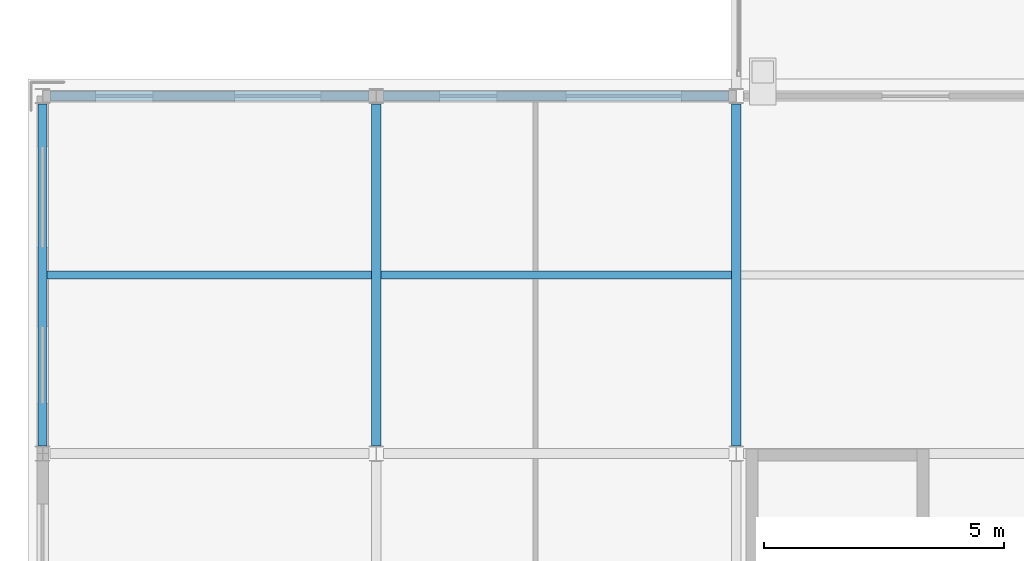
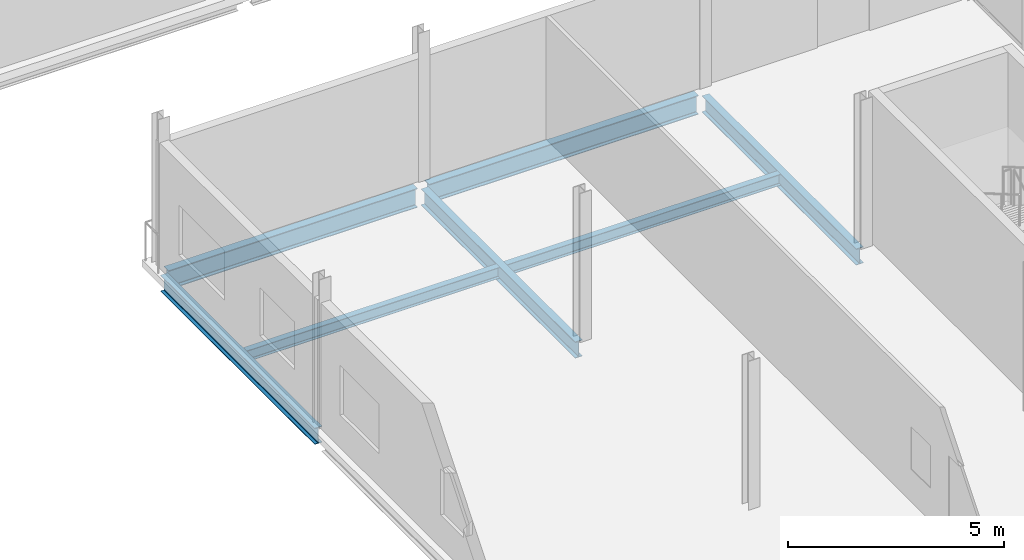
# One storey, part 14 of 60: 7 beams.
"""IFC4 building model written with IfcOpenShell, lengths in metres."""

from ifc_helpers import new_model, si_unit, direction, frame, origin, origin_2d, place, context, subcontext, project, spatial, i_section, extrude, material, material_profile, profile_set, type_object, element, save


model = new_model("IFC4")

# Units and contexts
model_context = context("Model", 3, precision=1e-05, world=origin(), true_north=direction((0.0, 1.0)))
body_context = subcontext(model_context, "Body", "Model", "MODEL_VIEW")
ifc_project = project(units=[si_unit("LENGTHUNIT", "METRE"), si_unit("AREAUNIT", "SQUARE_METRE"), si_unit("VOLUMEUNIT", "CUBIC_METRE"), si_unit("PLANEANGLEUNIT", "RADIAN"), si_unit("MASSUNIT", "GRAM", prefix="KILO")], contexts=[model_context])

# Site, building, storey
site_placement = place(None, origin())
site = spatial("IfcSite", under=ifc_project, at=site_placement, CompositionType="ELEMENT")
building_placement = place(site_placement, origin())
building = spatial("IfcBuilding", under=site, at=building_placement, Name="Quillay Park Conservatory", CompositionType="ELEMENT")
storey_placement = place(building_placement, frame((0.0, 0.0, 9.89990234375)))
storey = spatial("IfcBuildingStorey", under=building, at=storey_placement, Name="L02", CompositionType="ELEMENT", Elevation=9.89990234375)

# Beams
ifc_material_1 = material(Name="Steel ASTM A992 Grade 50", Category="steel")
ifc_material_profile_1 = material_profile(ifc_material_1, i_section(OverallWidth=0.166015625, OverallDepth=0.31298828125, WebThickness=0.006591796875, FlangeThickness=0.01123046875, FilletRadius=0.010009765625, at=origin_2d()), Name="W310x45")
ifc_profile_set_1 = profile_set([ifc_material_profile_1], Name="Steel ASTM A992 Grade 50")
beam_type_1 = type_object("IfcBeamType", Name="COMPOSITE FLOOR JOIST W310 X45", PredefinedType="JOIST", material=ifc_profile_set_1)
beam_1_placement = place(storey_placement, frame((0.64599609375, 50.52490234375, -0.351318359375), z_axis=(1.0, 0.0, 0.0), x_axis=(0.0, 1.0, 0.0)))
element("IfcBeam", 1, at=beam_1_placement, inside=storey, type_object=beam_type_1, Name="L02 beam BM-V3J-1395", PredefinedType="JOIST", context=body_context, shape_type="SweptSolid", body=[
    extrude(i_section(OverallWidth=0.166015625, OverallDepth=0.31298828125, WebThickness=0.006591796875, FlangeThickness=0.01123046875, FilletRadius=0.010009765625, at=origin_2d()), origin(), (0.0, 0.0, 1.0), 6.758056640625),
])
beam_2_placement = place(storey_placement, frame((7.595947265625, 50.52490234375, -0.351318359375), z_axis=(1.0, 0.0, 0.0), x_axis=(0.0, 1.0, 0.0)))
element("IfcBeam", 2, at=beam_2_placement, inside=storey, type_object=beam_type_1, Name="L02 beam BM-V3J-1396", PredefinedType="JOIST", context=body_context, shape_type="SweptSolid", body=[
    extrude(i_section(OverallWidth=0.166015625, OverallDepth=0.31298828125, WebThickness=0.006591796875, FlangeThickness=0.01123046875, FilletRadius=0.010009765625, at=origin_2d()), origin(), (0.0, 0.0, 1.0), 7.30810546875),
])
ifc_material_2 = material(Name="Steel ASTM A992 Grade 50", Category="steel")
ifc_material_profile_2 = material_profile(ifc_material_2, i_section(OverallWidth=0.19189453125, OverallDepth=0.462890625, WebThickness=0.010498046875, FlangeThickness=0.017578125, FilletRadius=0.012939453125, at=origin_2d()), Name="W460x89")
ifc_profile_set_2 = profile_set([ifc_material_profile_2], Name="Steel ASTM A992 Grade 50")
beam_type_2 = type_object("IfcBeamType", Name="PRIMARY FLOOR GIRDER W460 X89", PredefinedType="BEAM", material=ifc_profile_set_2)
for number, where, z_axis, x_axis, name in (
    (3, (0.550048828125, 46.96142578125, -0.426513671875), (0.0, 1.0, 0.0), (-1.0, 0.0, 0.0), "L02 beam BM-V3Y-1356"),
    (4, (7.5, 46.96142578125, -0.426513671875), (0.0, 1.0, 0.0), (-1.0, 0.0, 0.0), "L02 beam BM-V3Y-1363"),
    (5, (15.0, 46.96142578125, -0.426513671875), (0.0, 1.0, 0.0), (-1.0, 0.0, 0.0), "L02 beam BM-V3Y-1370"),
):
    element("IfcBeam", number, at=place(storey_placement, frame(where, z_axis=z_axis, x_axis=x_axis)), inside=storey, type_object=beam_type_2, Name=name, PredefinedType="BEAM", context=body_context, shape_type="SweptSolid", body=[
        extrude(i_section(OverallWidth=0.19189453125, OverallDepth=0.462890625, WebThickness=0.010498046875, FlangeThickness=0.017578125, FilletRadius=0.012939453125, at=origin_2d()), origin(), (0.0, 0.0, 1.0), 7.126953125),
    ])
ifc_material_3 = material(Name="Steel ASTM A992 Grade 50", Category="steel")
ifc_material_profile_3 = material_profile(ifc_material_3, i_section(OverallWidth=0.2109375, OverallDepth=0.5390625, WebThickness=0.01171875, FlangeThickness=0.018798828125, FilletRadius=0.013916015625, at=origin_2d()), Name="W530x109")
ifc_profile_set_3 = profile_set([ifc_material_profile_3], Name="Steel ASTM A992 Grade 50")
beam_type_3 = type_object("IfcBeamType", Name="PRIMARY FLOOR GIRDER W530 X109", PredefinedType="BEAM", material=ifc_profile_set_3)
beam_3_placement = place(storey_placement, frame((0.70458984375, 54.25, -0.46435546875), z_axis=(1.0, 0.0, 0.0), x_axis=(0.0, 1.0, 0.0)))
element("IfcBeam", 6, at=beam_3_placement, inside=storey, type_object=beam_type_3, Name="L02 beam BM-V3X-1347", PredefinedType="BEAM", context=body_context, shape_type="SweptSolid", body=[
    extrude(i_section(OverallWidth=0.2109375, OverallDepth=0.5390625, WebThickness=0.01171875, FlangeThickness=0.018798828125, FilletRadius=0.013916015625, at=origin_2d()), origin(), (0.0, 0.0, 1.0), 6.640869140625),
])
beam_4_placement = place(storey_placement, frame((7.654541015625, 54.25, -0.46435546875), z_axis=(1.0, 0.0, 0.0), x_axis=(0.0, 1.0, 0.0)))
element("IfcBeam", 7, at=beam_4_placement, inside=storey, type_object=beam_type_3, Name="L02 beam BM-V3X-1348", PredefinedType="BEAM", context=body_context, shape_type="SweptSolid", body=[
    extrude(i_section(OverallWidth=0.2109375, OverallDepth=0.5390625, WebThickness=0.01171875, FlangeThickness=0.018798828125, FilletRadius=0.013916015625, at=origin_2d()), origin(), (0.0, 0.0, 1.0), 7.19091796875),
])

save(model, "model.ifc")
